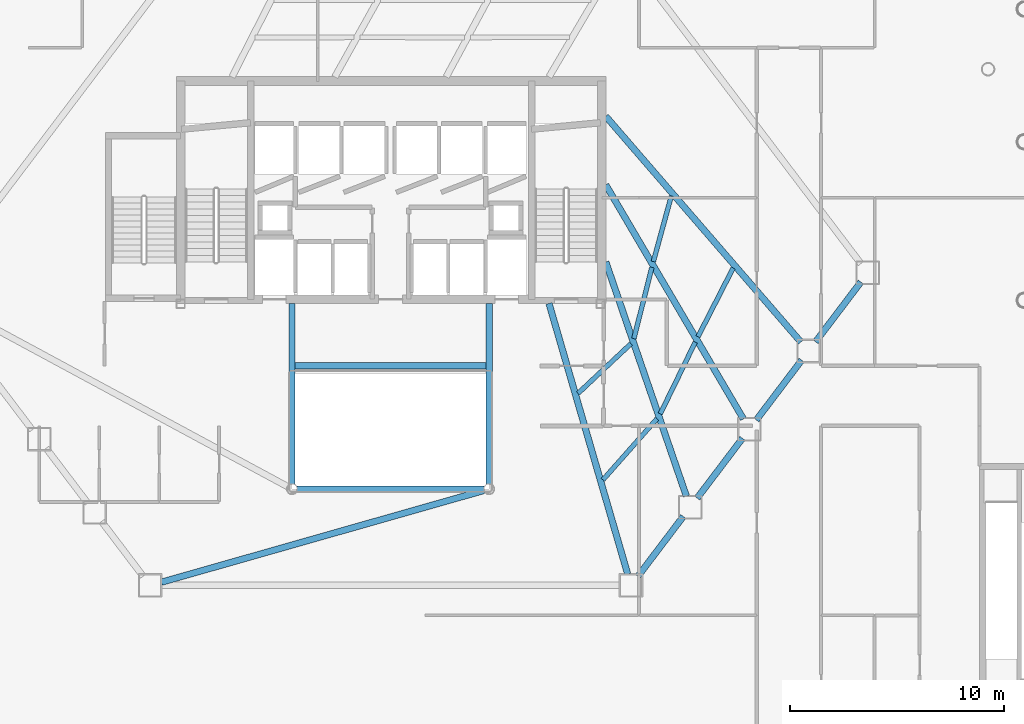
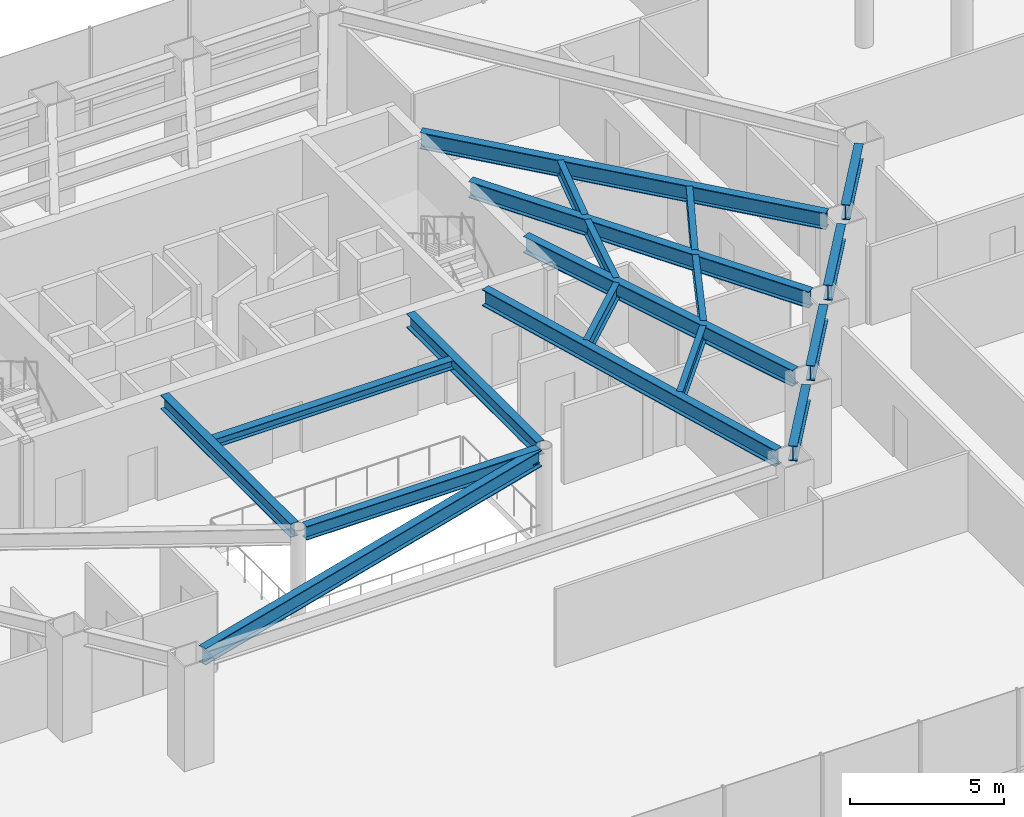
# One storey, part 17 of 43: 19 beams.
"""IFC4 building model written with IfcOpenShell, lengths in metres."""

from ifc_helpers import new_model, si_unit, direction, frame, origin, origin_2d, place, context, subcontext, project, spatial, i_section, extrude, material, material_profile, profile_set, type_object, element, save


model = new_model("IFC4")

# Units and contexts
model_context = context("Model", 3, precision=1e-05, world=origin(), true_north=direction((0.0, 1.0)))
body_context = subcontext(model_context, "Body", "Model", "MODEL_VIEW")
ifc_project = project(units=[si_unit("LENGTHUNIT", "METRE"), si_unit("AREAUNIT", "SQUARE_METRE"), si_unit("VOLUMEUNIT", "CUBIC_METRE"), si_unit("PLANEANGLEUNIT", "RADIAN"), si_unit("MASSUNIT", "GRAM", prefix="KILO")], contexts=[model_context])

# Site, building, storey
site_placement = place(None, origin())
site = spatial("IfcSite", under=ifc_project, at=site_placement, CompositionType="ELEMENT")
building_placement = place(site_placement, origin())
building = spatial("IfcBuilding", under=site, at=building_placement, Name="Zarrinselat Tower", CompositionType="ELEMENT")
storey_placement = place(building_placement, frame((0.0, 0.0, 5.10009765625)))
storey = spatial("IfcBuildingStorey", under=building, at=storey_placement, Name="L01", CompositionType="ELEMENT", Elevation=5.10009765625)

# Beams
ifc_material_1 = material(Name="Steel S355J2", Category="steel")
ifc_material_profile_1 = material_profile(ifc_material_1, i_section(OverallWidth=0.300048828125, OverallDepth=0.35009765625, WebThickness=0.010009765625, FlangeThickness=0.017578125, at=origin_2d()), Name="HEA 360")
ifc_profile_set_1 = profile_set([ifc_material_profile_1], Name="Steel S355J2")
beam_type_1 = type_object("IfcBeamType", Name="BM-HEA360", PredefinedType="LINTEL", material=ifc_profile_set_1)
beam_1_placement = place(storey_placement, frame((33.93994140625, 30.14990234375, 3.96484375), z_axis=(1.0, 0.0, 0.0), x_axis=(0.0, 1.0, 0.0)))
element("IfcBeam", 1, at=beam_1_placement, inside=storey, type_object=beam_type_1, Name="L01 Lift Lobby Ceiling Beam", PredefinedType="LINTEL", context=body_context, shape_type="SweptSolid", body=[
    extrude(i_section(OverallWidth=0.300048828125, OverallDepth=0.35009765625, WebThickness=0.010009765625, FlangeThickness=0.017578125, at=origin_2d()), origin(), (0.0, 0.0, 1.0), 8.920166015625),
])
ifc_material_2 = material(Name="Steel S355J2", Category="steel")
ifc_material_profile_2 = material_profile(ifc_material_2, i_section(OverallWidth=0.300048828125, OverallDepth=0.550048828125, WebThickness=0.014892578125, FlangeThickness=0.029052734375, at=origin_2d()), Name="HEB 550")
ifc_profile_set_2 = profile_set([ifc_material_profile_2], Name="Steel S355J2")
beam_type_2 = type_object("IfcBeamType", Name="BM-HEB550", PredefinedType="BEAM", material=ifc_profile_set_2)
beam_2_placement = place(storey_placement, frame((34.0400390625, 24.39990234375, 3.864990234375), z_axis=(1.0, 0.0, 0.0), x_axis=(0.0, 1.0, 0.0)))
element("IfcBeam", 2, at=beam_2_placement, inside=storey, type_object=beam_type_2, Name="L01 Atrium Edge Beam S", PredefinedType="BEAM", context=body_context, shape_type="SweptSolid", body=[
    extrude(i_section(OverallWidth=0.300048828125, OverallDepth=0.550048828125, WebThickness=0.014892578125, FlangeThickness=0.029052734375, at=origin_2d()), origin(), (0.0, 0.0, 1.0), 8.719970703125),
])
for number, where, z_axis, x_axis, name in (
    (3, (33.800048828125, 24.639892578125, 3.864990234375), (0.0, 1.0, 0.0), (-1.0, 0.0, 0.0), "L01 Atrium Edge Beam W"),
    (4, (43.0, 24.639892578125, 3.864990234375), (0.0, 1.0, 0.0), (-1.0, 0.0, 0.0), "L01 Atrium Edge Beam E"),
):
    element("IfcBeam", number, at=place(storey_placement, frame(where, z_axis=z_axis, x_axis=x_axis)), inside=storey, type_object=beam_type_2, Name=name, PredefinedType="BEAM", context=body_context, shape_type="SweptSolid", body=[
        extrude(i_section(OverallWidth=0.300048828125, OverallDepth=0.550048828125, WebThickness=0.014892578125, FlangeThickness=0.029052734375, at=origin_2d()), origin(), (0.0, 0.0, 1.0), 8.420166015625),
    ])
ifc_material_3 = material(Name="Steel S355J2", Category="steel")
ifc_material_profile_3 = material_profile(ifc_material_3, i_section(OverallWidth=0.300048828125, OverallDepth=0.60009765625, WebThickness=0.015380859375, FlangeThickness=0.030029296875, at=origin_2d()), Name="HEB 600")
ifc_profile_set_3 = profile_set([ifc_material_profile_3], Name="Steel S355J2")
beam_type_3 = type_object("IfcBeamType", Name="BM-HEB600", PredefinedType="BEAM", material=ifc_profile_set_3)
beam_3_placement = place(storey_placement, frame((49.951904296875, 20.32470703125, 3.83984375), z_axis=(0.60380802351, 0.797129770329, 0.0), x_axis=(-0.797129770329, 0.60380802351, 0.0)))
element("IfcBeam", 5, at=beam_3_placement, inside=storey, type_object=beam_type_3, Name="L01 Perimeter Spandrel Girder SP11", PredefinedType="BEAM", context=body_context, shape_type="SweptSolid", body=[
    extrude(i_section(OverallWidth=0.300048828125, OverallDepth=0.60009765625, WebThickness=0.015380859375, FlangeThickness=0.030029296875, at=origin_2d()), origin(), (0.0, 0.0, 1.0), 3.501953125),
])
beam_4_placement = place(storey_placement, frame((52.71630859375, 23.973876953125, 3.83984375), z_axis=(0.603841579957, 0.797104350958, 0.0), x_axis=(-0.797104350958, 0.603841579957, 0.0)))
element("IfcBeam", 6, at=beam_4_placement, inside=storey, type_object=beam_type_3, Name="L01 Perimeter Spandrel Girder SP12", PredefinedType="BEAM", context=body_context, shape_type="SweptSolid", body=[
    extrude(i_section(OverallWidth=0.300048828125, OverallDepth=0.60009765625, WebThickness=0.015380859375, FlangeThickness=0.030029296875, at=origin_2d()), origin(), (0.0, 0.0, 1.0), 3.501708984375),
])
for number, where, z_axis, x_axis, name in (
    (7, (55.480712890625, 27.622802734375, 3.83984375), (0.60380802351, 0.797129770329, 0.0), (-0.797129770329, 0.60380802351, 0.0), "L01 Perimeter Spandrel Girder SP13"),
    (8, (58.2451171875, 31.271728515625, 3.83984375), (0.60380802351, 0.797129770329, 0.0), (-0.797129770329, 0.60380802351, 0.0), "L01 Perimeter Spandrel Girder SP14"),
):
    element("IfcBeam", number, at=place(storey_placement, frame(where, z_axis=z_axis, x_axis=x_axis)), inside=storey, type_object=beam_type_3, Name=name, PredefinedType="BEAM", context=body_context, shape_type="SweptSolid", body=[
        extrude(i_section(OverallWidth=0.300048828125, OverallDepth=0.60009765625, WebThickness=0.015380859375, FlangeThickness=0.030029296875, at=origin_2d()), origin(), (0.0, 0.0, 1.0), 3.501953125),
    ])
ifc_material_4 = material(Name="Steel S355J2", Category="steel")
ifc_material_profile_4 = material_profile(ifc_material_4, i_section(OverallWidth=0.300048828125, OverallDepth=0.64990234375, WebThickness=0.01611328125, FlangeThickness=0.031005859375, at=origin_2d()), Name="HEB 650")
ifc_profile_set_4 = profile_set([ifc_material_profile_4], Name="Steel S355J2")
beam_type_4 = type_object("IfcBeamType", Name="BM-HEB650", PredefinedType="BEAM", material=ifc_profile_set_4)
beam_5_placement = place(storey_placement, frame((27.703857421875, 20.047119140625, 3.81494140625), z_axis=(0.961813567689, 0.27370542744, 0.0), x_axis=(-0.27370542744, 0.961813567689, 0.0)))
element("IfcBeam", 9, at=beam_5_placement, inside=storey, type_object=beam_type_4, Name="L01 Radial Primary Girder RG10", PredefinedType="BEAM", context=body_context, shape_type="SweptSolid", body=[
    extrude(i_section(OverallWidth=0.300048828125, OverallDepth=0.64990234375, WebThickness=0.01611328125, FlangeThickness=0.031005859375, at=origin_2d()), origin(), (0.0, 0.0, 1.0), 15.6533203125),
])
beam_6_placement = place(storey_placement, frame((45.800048828125, 33.06005859375, 3.81494140625), z_axis=(0.279154101164, -0.960246316214, 0.0), x_axis=(0.960246316214, 0.279154101164, 0.0)))
element("IfcBeam", 10, at=beam_6_placement, inside=storey, type_object=beam_type_4, Name="L01 Radial Primary Girder RG11", PredefinedType="BEAM", context=body_context, shape_type="SweptSolid", body=[
    extrude(i_section(OverallWidth=0.300048828125, OverallDepth=0.64990234375, WebThickness=0.01611328125, FlangeThickness=0.031005859375, at=origin_2d()), origin(), (0.0, 0.0, 1.0), 13.156982421875),
])
beam_7_placement = place(storey_placement, frame((48.449951171875, 35.0, 3.81494140625), z_axis=(0.325366553605, -0.945587968301, 0.0), x_axis=(0.945587968301, 0.325366553605, 0.0)))
element("IfcBeam", 11, at=beam_7_placement, inside=storey, type_object=beam_type_4, Name="L01 Radial Primary Girder RG12", PredefinedType="BEAM", context=body_context, shape_type="SweptSolid", body=[
    extrude(i_section(OverallWidth=0.300048828125, OverallDepth=0.64990234375, WebThickness=0.01611328125, FlangeThickness=0.031005859375, at=origin_2d()), origin(), (0.0, 0.0, 1.0), 11.562255859375),
])
beam_8_placement = place(storey_placement, frame((48.449951171875, 38.60009765625, 3.81494140625), z_axis=(0.506815631178, -0.862054473913, 0.0), x_axis=(0.862054473913, 0.506815631178, 0.0)))
element("IfcBeam", 12, at=beam_8_placement, inside=storey, type_object=beam_type_4, Name="L01 Radial Primary Girder RG13", PredefinedType="BEAM", context=body_context, shape_type="SweptSolid", body=[
    extrude(i_section(OverallWidth=0.300048828125, OverallDepth=0.64990234375, WebThickness=0.01611328125, FlangeThickness=0.031005859375, at=origin_2d()), origin(), (0.0, 0.0, 1.0), 12.67919921875),
])
beam_9_placement = place(storey_placement, frame((48.449951171875, 41.800048828125, 3.81494140625), z_axis=(0.653899074597, -0.756581786882, 0.0), x_axis=(0.756581786882, 0.653899074597, 0.0)))
element("IfcBeam", 13, at=beam_9_placement, inside=storey, type_object=beam_type_4, Name="L01 Radial Primary Girder RG14", PredefinedType="BEAM", context=body_context, shape_type="SweptSolid", body=[
    extrude(i_section(OverallWidth=0.300048828125, OverallDepth=0.64990234375, WebThickness=0.01611328125, FlangeThickness=0.031005859375, at=origin_2d()), origin(), (0.0, 0.0, 1.0), 13.930419921875),
])
ifc_material_5 = material(Name="Steel S355J2", Category="steel")
ifc_material_profile_5 = material_profile(ifc_material_5, i_section(OverallWidth=0.219970703125, OverallDepth=0.60009765625, WebThickness=0.011962890625, FlangeThickness=0.01904296875, at=origin_2d()), Name="IPE 600")
ifc_profile_set_5 = profile_set([ifc_material_profile_5], Name="Steel S355J2")
beam_type_5 = type_object("IfcBeamType", Name="BM-IPE600", PredefinedType="JOIST", material=ifc_profile_set_5)
beam_10_placement = place(storey_placement, frame((48.31689453125, 24.826416015625, 3.83984375), z_axis=(0.662479827285, 0.749079754393, 0.0), x_axis=(-0.749079754393, 0.662479827285, 0.0)))
element("IfcBeam", 14, at=beam_10_placement, inside=storey, type_object=beam_type_5, Name="L01 Composite Floor Joist 3-1", PredefinedType="JOIST", context=body_context, shape_type="SweptSolid", body=[
    extrude(i_section(OverallWidth=0.219970703125, OverallDepth=0.60009765625, WebThickness=0.011962890625, FlangeThickness=0.01904296875, at=origin_2d()), origin(), (0.0, 0.0, 1.0), 3.80859375),
])
beam_11_placement = place(storey_placement, frame((47.15087890625, 28.8603515625, 3.83984375), z_axis=(0.728752445386, 0.684777243594, 0.0), x_axis=(-0.684777243594, 0.728752445386, 0.0)))
element("IfcBeam", 15, at=beam_11_placement, inside=storey, type_object=beam_type_5, Name="L01 Composite Floor Joist 3-2", PredefinedType="JOIST", context=body_context, shape_type="SweptSolid", body=[
    extrude(i_section(OverallWidth=0.219970703125, OverallDepth=0.60009765625, WebThickness=0.011962890625, FlangeThickness=0.01904296875, at=origin_2d()), origin(), (0.0, 0.0, 1.0), 3.397705078125),
])
beam_12_placement = place(storey_placement, frame((50.994140625, 27.909912109375, 3.83984375), z_axis=(0.438680359766, 0.8986431672, 0.0), x_axis=(-0.8986431672, 0.438680359766, 0.0)))
element("IfcBeam", 16, at=beam_12_placement, inside=storey, type_object=beam_type_5, Name="L01 Composite Floor Joist 4-1", PredefinedType="JOIST", context=body_context, shape_type="SweptSolid", body=[
    extrude(i_section(OverallWidth=0.219970703125, OverallDepth=0.60009765625, WebThickness=0.011962890625, FlangeThickness=0.01904296875, at=origin_2d()), origin(), (0.0, 0.0, 1.0), 3.728271484375),
])
beam_13_placement = place(storey_placement, frame((49.76318359375, 31.418701171875, 3.83984375), z_axis=(0.243924209256, 0.969794297848, 0.0), x_axis=(-0.969794297848, 0.243924209256, 0.0)))
element("IfcBeam", 17, at=beam_13_placement, inside=storey, type_object=beam_type_5, Name="L01 Composite Floor Joist 4-2", PredefinedType="JOIST", context=body_context, shape_type="SweptSolid", body=[
    extrude(i_section(OverallWidth=0.219970703125, OverallDepth=0.60009765625, WebThickness=0.011962890625, FlangeThickness=0.01904296875, at=origin_2d()), origin(), (0.0, 0.0, 1.0), 3.43310546875),
])
beam_14_placement = place(storey_placement, frame((52.7548828125, 31.5107421875, 3.83984375), z_axis=(0.455833998085, 0.890064810107, 0.0), x_axis=(-0.890064810107, 0.455833998085, 0.0)))
element("IfcBeam", 18, at=beam_14_placement, inside=storey, type_object=beam_type_5, Name="L01 Composite Floor Joist 5-1", PredefinedType="JOIST", context=body_context, shape_type="SweptSolid", body=[
    extrude(i_section(OverallWidth=0.219970703125, OverallDepth=0.60009765625, WebThickness=0.011962890625, FlangeThickness=0.01904296875, at=origin_2d()), origin(), (0.0, 0.0, 1.0), 3.60498046875),
])
beam_15_placement = place(storey_placement, frame((50.671875, 35.018798828125, 3.83984375), z_axis=(0.26395004358, 0.964536352085, 0.0), x_axis=(-0.964536352085, 0.26395004358, 0.0)))
element("IfcBeam", 19, at=beam_15_placement, inside=storey, type_object=beam_type_5, Name="L01 Composite Floor Joist 5-2", PredefinedType="JOIST", context=body_context, shape_type="SweptSolid", body=[
    extrude(i_section(OverallWidth=0.219970703125, OverallDepth=0.60009765625, WebThickness=0.011962890625, FlangeThickness=0.01904296875, at=origin_2d()), origin(), (0.0, 0.0, 1.0), 3.17529296875),
])

save(model, "model.ifc")
